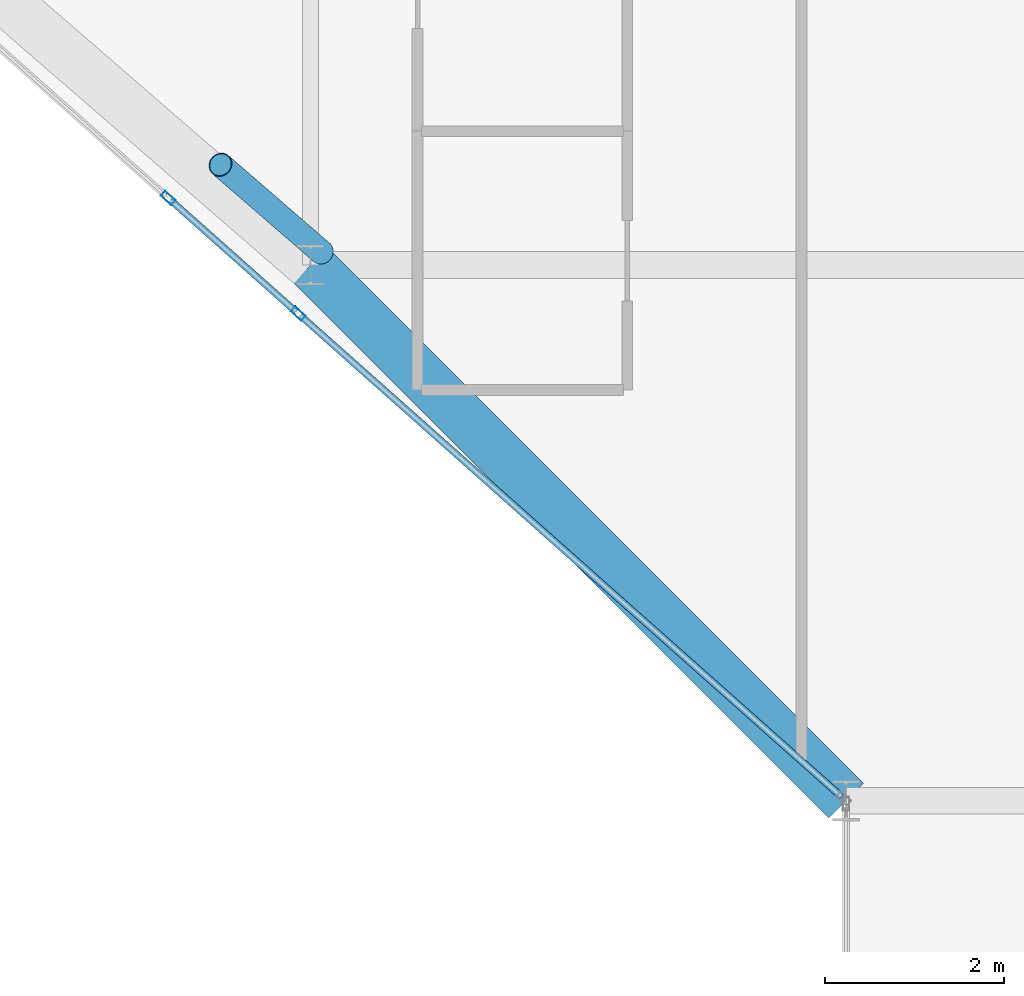
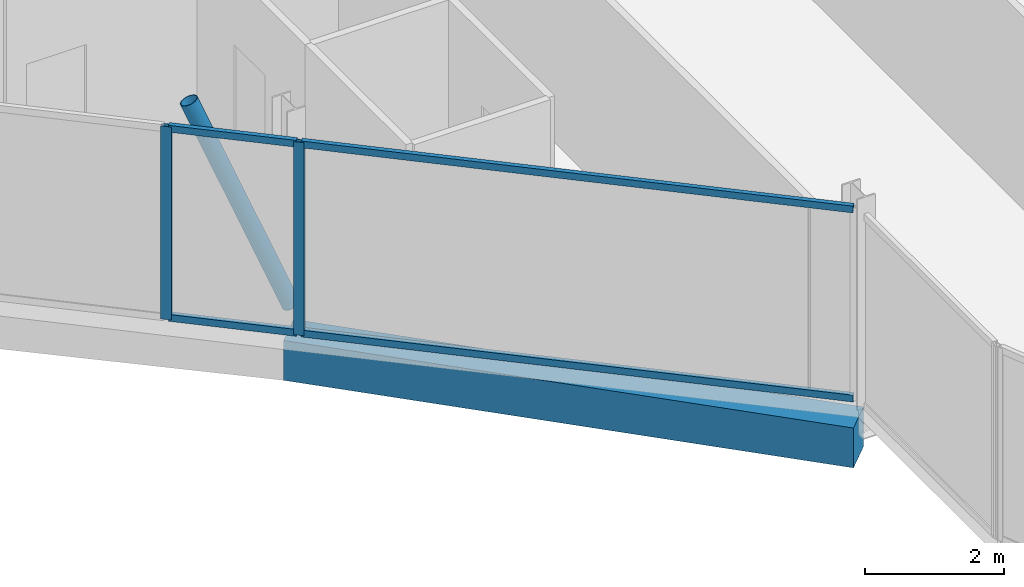
# One storey, part 4 of 29: 7 members, 1 beam, 2 elements without a shape of their own.
"""IFC4 building model written with IfcOpenShell, lengths in metres."""

from ifc_helpers import new_model, si_unit, direction, frame, origin, origin_2d, place, context, subcontext, project, spatial, rectangle, hollow_rectangle, hollow_circle, extrude, material, layer, layer_set, material_profile, profile_set, type_object, element, aggregate, save


model = new_model("IFC4")

# Units and contexts
model_context = context("Model", 3, precision=1e-05, world=origin(), true_north=direction((0.0, 1.0)))
body_context = subcontext(model_context, "Body", "Model", "MODEL_VIEW")
ifc_project = project(units=[si_unit("LENGTHUNIT", "METRE"), si_unit("AREAUNIT", "SQUARE_METRE"), si_unit("VOLUMEUNIT", "CUBIC_METRE"), si_unit("PLANEANGLEUNIT", "RADIAN"), si_unit("MASSUNIT", "GRAM", prefix="KILO")], contexts=[model_context])

# Site, building, storey
site_placement = place(None, origin())
site = spatial("IfcSite", under=ifc_project, at=site_placement, CompositionType="ELEMENT")
building_placement = place(site_placement, origin())
building = spatial("IfcBuilding", under=site, at=building_placement, Name="Keshet Zoharim Tower", CompositionType="ELEMENT")
storey_placement = place(building_placement, frame((0.0, 0.0, 230.199951171875)))
storey = spatial("IfcBuildingStorey", under=building, at=storey_placement, Name="L57", CompositionType="ELEMENT", Elevation=230.199951171875)

# Beam
ifc_material_1 = material(Name="Concrete C50/60", Category="concrete")
ifc_material_profile_1 = material_profile(ifc_material_1, rectangle(XDim=0.550048828125, YDim=0.699951171875, at=origin_2d()), Name="RC700x550")
ifc_profile_set_1 = profile_set([ifc_material_profile_1], Name="Concrete C50/60")
beam_type = type_object("IfcBeamType", Name="BM-SPN-700", PredefinedType="SPANDREL", material=ifc_profile_set_1)
beam_placement = place(storey_placement, frame((21.0, 6.699951171875, -0.659912109375), z_axis=(-0.707106781187, 0.707106781187, 0.0), x_axis=(-0.707106781187, -0.707106781187, 0.0)))
element("IfcBeam", 1, at=beam_placement, inside=storey, type_object=beam_type, Name="L57 Perimeter Spandrel Beam 01", PredefinedType="SPANDREL", context=body_context, shape_type="SweptSolid", body=[
    extrude(rectangle(XDim=0.550048828125, YDim=0.699951171875, at=origin_2d()), origin(), (0.0, 0.0, 1.0), 8.4853515625),
])

# Curtain wall, member
ifc_material_2 = material(Name="Aluminium 6063-T6", Category="aluminium")
ifc_layer = layer(ifc_material_2, 0.139892578125)
ifc_layer_set = layer_set([ifc_layer], Name="Aluminium 6063-T6")
curtain_wall_type = type_object("IfcCurtainWallType", Name="CW-SYS-05", PredefinedType="NOTDEFINED", material=ifc_layer_set)
curtain_wall_1_placement = place(storey_placement, origin())
curtain_wall_1 = element("IfcCurtainWall", 2, at=curtain_wall_1_placement, inside=storey, type_object=curtain_wall_type, Name="L57 Unitised Curtain Wall 10", PredefinedType="NOTDEFINED")
ifc_material_profile_2 = material_profile(ifc_material_2, hollow_rectangle(XDim=0.074951171875, YDim=0.159912109375, WallThickness=0.00390625, at=origin_2d()), Name="MUL-75x160")
ifc_profile_set_2 = profile_set([ifc_material_profile_2], Name="Aluminium 6063-T6")
member_type_1 = type_object("IfcMemberType", Name="CWM-M15", PredefinedType="MULLION", material=ifc_profile_set_2)
member_1_placement = place(storey_placement, frame((14.863037109375, 12.155029296875, 0.0), z_axis=(0.0, 0.0, 1.0), x_axis=(-0.664363086114, -0.747409987764, 0.0)))
member_1 = element("IfcMember", 3, at=member_1_placement, type_object=member_type_1, Name="CW-05 mullion 2", PredefinedType="MULLION", context=body_context, shape_type="SweptSolid", body=[
    extrude(hollow_rectangle(XDim=0.074951171875, YDim=0.159912109375, WallThickness=0.00390625, at=origin_2d()), origin(), (0.0, 0.0, 1.0), 3.39013671875),
])

curtain_wall_2_placement = place(storey_placement, origin())
curtain_wall_2 = element("IfcCurtainWall", 4, at=curtain_wall_2_placement, inside=storey, type_object=curtain_wall_type, Name="L57 Unitised Curtain Wall 10 Part 2", PredefinedType="NOTDEFINED")
member_2_placement = place(storey_placement, frame((13.40576171875, 13.450439453125, 0.0), z_axis=(0.0, 0.0, 1.0), x_axis=(-0.664367022375, -0.747406488853, 0.0)))
member_2 = element("IfcMember", 5, at=member_2_placement, type_object=member_type_1, Name="CW-05 mullion 2", PredefinedType="MULLION", context=body_context, shape_type="SweptSolid", body=[
    extrude(hollow_rectangle(XDim=0.074951171875, YDim=0.159912109375, WallThickness=0.00390625, at=origin_2d()), origin(), (0.0, 0.0, 1.0), 3.39013671875),
])

# Member
ifc_material_profile_3 = material_profile(ifc_material_2, hollow_rectangle(XDim=0.074951171875, YDim=0.1201171875, WallThickness=0.00390625, at=origin_2d()), Name="TRN-75x120")
ifc_profile_set_3 = profile_set([ifc_material_profile_3], Name="Aluminium 6063-T6")
member_type_2 = type_object("IfcMemberType", Name="CWT-T12", PredefinedType="USERDEFINED", material=ifc_profile_set_3)
member_3_placement = place(storey_placement, frame((20.94775390625, 6.74658203125, 0.03515625), z_axis=(-0.747419288843, 0.664352622231, 0.0), x_axis=(-0.664352622231, -0.747419288843, 0.0)))
member_3 = element("IfcMember", 6, at=member_3_placement, type_object=member_type_2, Name="CW-05 transom 1.1", ObjectType="TRANSOM", PredefinedType="USERDEFINED", context=body_context, shape_type="SweptSolid", body=[
    extrude(hollow_rectangle(XDim=0.074951171875, YDim=0.1201171875, WallThickness=0.00390625, at=origin_2d()), origin(), (0.0, 0.0, 1.0), 8.10595703125),
])

member_4_placement = place(storey_placement, frame((20.94775390625, 6.74658203125, 3.35498046875), z_axis=(-0.747419288843, 0.664352622231, 0.0), x_axis=(-0.664352622231, -0.747419288843, 0.0)))
member_4 = element("IfcMember", 7, at=member_4_placement, type_object=member_type_2, Name="CW-05 transom 1.2", ObjectType="TRANSOM", PredefinedType="USERDEFINED", context=body_context, shape_type="SweptSolid", body=[
    extrude(hollow_rectangle(XDim=0.074951171875, YDim=0.1201171875, WallThickness=0.00390625, at=origin_2d()), origin(), (0.0, 0.0, 1.0), 8.10595703125),
])

aggregate(curtain_wall_1, [member_1, member_3, member_4])

member_5_placement = place(storey_placement, frame((14.8369140625, 12.17822265625, 0.03515625), z_axis=(-0.747387819236, 0.66438802492, 0.0), x_axis=(-0.66438802492, -0.747387819236, 0.0)))
member_5 = element("IfcMember", 8, at=member_5_placement, type_object=member_type_2, Name="CW-05 transom 1.1", ObjectType="TRANSOM", PredefinedType="USERDEFINED", context=body_context, shape_type="SweptSolid", body=[
    extrude(hollow_rectangle(XDim=0.074951171875, YDim=0.1201171875, WallThickness=0.00390625, at=origin_2d()), origin(), (0.0, 0.0, 1.0), 1.879638671875),
])

member_6_placement = place(storey_placement, frame((14.8369140625, 12.17822265625, 3.35498046875), z_axis=(-0.747387819236, 0.66438802492, 0.0), x_axis=(-0.66438802492, -0.747387819236, 0.0)))
member_6 = element("IfcMember", 9, at=member_6_placement, type_object=member_type_2, Name="CW-05 transom 1.2", ObjectType="TRANSOM", PredefinedType="USERDEFINED", context=body_context, shape_type="SweptSolid", body=[
    extrude(hollow_rectangle(XDim=0.074951171875, YDim=0.1201171875, WallThickness=0.00390625, at=origin_2d()), origin(), (0.0, 0.0, 1.0), 1.879638671875),
])

aggregate(curtain_wall_2, [member_2, member_5, member_6])

ifc_material_3 = material(Name="Steel S355", Category="steel")
ifc_material_profile_4 = material_profile(ifc_material_3, hollow_circle(Radius=0.136474609375, WallThickness=0.010009765625, at=origin_2d()), Name="CHS273x10")
ifc_profile_set_4 = profile_set([ifc_material_profile_4], Name="Steel S355")
member_type_3 = type_object("IfcMemberType", Name="MB-BR-C273", PredefinedType="BRACE", material=ifc_profile_set_4)
member_7_placement = place(storey_placement, frame((15.1259765625, 12.842041015625, 0.0), z_axis=(-0.305901085163, 0.264872801835, 0.914476311855), x_axis=(-0.654589683411, -0.755984355904, 0.0)))
element("IfcMember", 10, at=member_7_placement, inside=storey, type_object=member_type_3, Name="L57 Perimeter Tube Brace 01", PredefinedType="BRACE", context=body_context, shape_type="SweptSolid", body=[
    extrude(hollow_circle(Radius=0.136474609375, WallThickness=0.010009765625, at=origin_2d()), origin(), (0.0, 0.0, 1.0), 3.707275390625),
])

save(model, "model.ifc")
